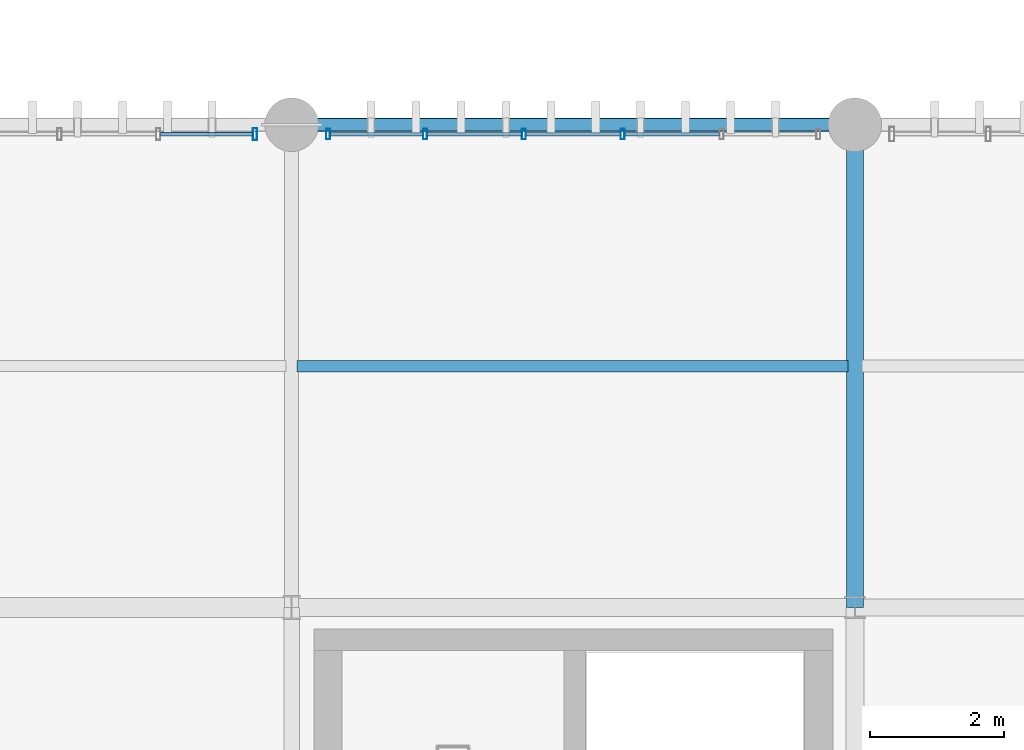
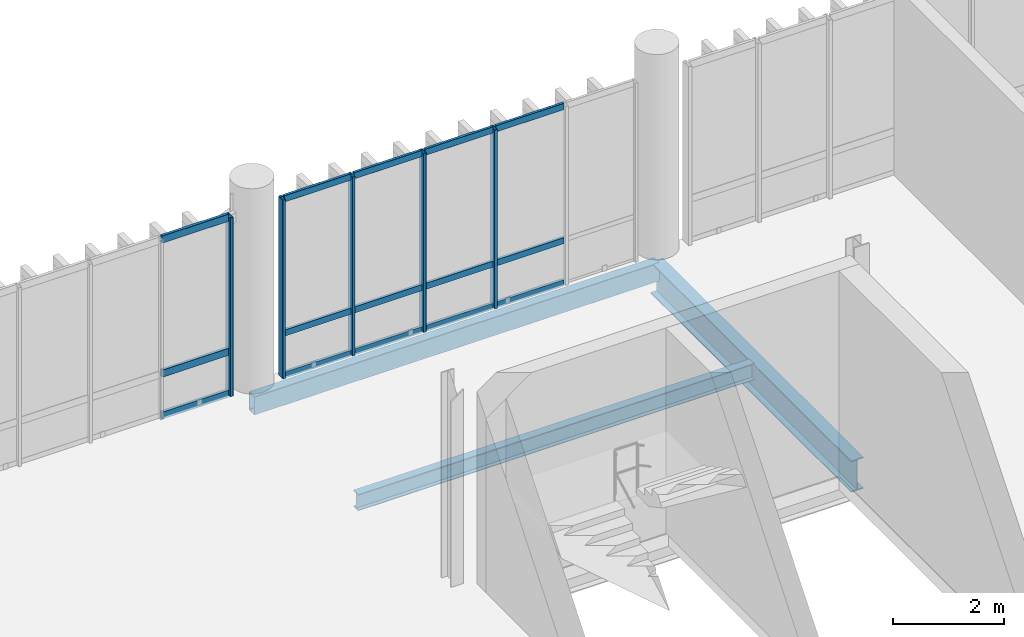
# One storey, part 33 of 68: 20 members, 3 beams, 2 elements without a shape of their own.
"""IFC4 building model written with IfcOpenShell, lengths in metres."""

from ifc_helpers import new_model, si_unit, direction, frame, origin_with_axes, origin_2d_with_axis, place, context, subcontext, project, spatial, hollow_rectangle, i_section, extrude, material, material_profile, profile_set, type_object, element, aggregate, save


model = new_model("IFC4")

# Units and contexts
model_context = context("Model", 3, precision=1e-05, world=origin_with_axes(), true_north=direction((0.0, 1.0)))
body_context = subcontext(model_context, "Body", "Model", "MODEL_VIEW")
ifc_project = project(units=[si_unit("LENGTHUNIT", "METRE"), si_unit("AREAUNIT", "SQUARE_METRE"), si_unit("VOLUMEUNIT", "CUBIC_METRE"), si_unit("PLANEANGLEUNIT", "RADIAN"), si_unit("MASSUNIT", "GRAM", prefix="KILO"), si_unit("THERMODYNAMICTEMPERATUREUNIT", "KELVIN")], contexts=[model_context])

# Site, building, storey
site_placement = place(None, origin_with_axes())
site = spatial("IfcSite", under=ifc_project, at=site_placement, CompositionType="ELEMENT")
building_placement = place(site_placement, origin_with_axes())
building = spatial("IfcBuilding", under=site, at=building_placement, Name="Montbau Bow Law Courts", CompositionType="ELEMENT")
storey_placement = place(building_placement, frame((0.0, 0.0, 20.4), z_axis=(0.0, 0.0, 1.0), x_axis=(1.0, 0.0, 0.0)))
storey = spatial("IfcBuildingStorey", under=building, at=storey_placement, Name="L04", CompositionType="ELEMENT", Elevation=20.4)

# Beams
ifc_material_1 = material(Name="Steel CSA G40.21 Grade 350W (350 MPa)", Category="steel")
ifc_material_profile_1 = material_profile(ifc_material_1, i_section(OverallWidth=0.254, OverallDepth=0.688, WebThickness=0.0131, FlangeThickness=0.0211, at=origin_2d_with_axis()), Name="W690X152", Category="Main", Priority=0)
ifc_profile_set_1 = profile_set([ifc_material_profile_1], Name="Steel CSA G40.21 Grade 350W (350 MPa)")
beam_type_1 = type_object("IfcBeamType", Name="B-FLR-04", PredefinedType="BEAM", material=ifc_profile_set_1)
beam_1_placement = place(None, frame((88.8, 54.6, 19.776), z_axis=(0.0, 1.0, 0.0), x_axis=(-1.0, 0.0, 0.0)))
element("IfcBeam", 1, at=beam_1_placement, inside=storey, type_object=beam_type_1, Name="BM-L04-S0953:bm2_0956", PredefinedType="BEAM", context=body_context, shape_type="SweptSolid", body=[
    extrude(i_section(OverallWidth=0.254, OverallDepth=0.688, WebThickness=0.0131, FlangeThickness=0.0211, at=origin_2d_with_axis()), origin_with_axes(), (0.0, 0.0, 1.0), 7.2),
])
ifc_material_profile_2 = material_profile(ifc_material_1, i_section(OverallWidth=0.172, OverallDepth=0.358, WebThickness=0.0079, FlangeThickness=0.0131, at=origin_2d_with_axis()), Name="W360X57", Category="Main", Priority=0)
ifc_profile_set_2 = profile_set([ifc_material_profile_2], Name="Steel CSA G40.21 Grade 350W (350 MPa)")
beam_type_2 = type_object("IfcBeamType", Name="B-JST-03", PredefinedType="JOIST", material=ifc_profile_set_2)
beam_2_placement = place(None, frame((80.481, 58.2, 19.941), z_axis=(1.0, 0.0, 0.0), x_axis=(0.0, 1.0, 0.0)))
element("IfcBeam", 2, at=beam_2_placement, inside=storey, type_object=beam_type_2, Name="JST-L04-S0490:jst2_0490", PredefinedType="JOIST", context=body_context, shape_type="SweptSolid", body=[
    extrude(i_section(OverallWidth=0.172, OverallDepth=0.358, WebThickness=0.0079, FlangeThickness=0.0131, at=origin_2d_with_axis()), origin_with_axes(), (0.0, 0.0, 1.0), 8.216),
])
ifc_material_2 = material(Name="Steel CSA G40.21 Grade 350WT (350 MPa)", Category="steel")
ifc_material_profile_3 = material_profile(ifc_material_2, hollow_rectangle(XDim=0.203, YDim=0.406, WallThickness=0.0127, InnerFilletRadius=0.0254, OuterFilletRadius=0.0127, at=origin_2d_with_axis()), Name="HSS406X203X13", Category="Main", Priority=0)
ifc_profile_set_3 = profile_set([ifc_material_profile_3], Name="Steel CSA G40.21 Grade 350WT (350 MPa)")
beam_type_3 = type_object("IfcBeamType", Name="B-SPN-01", PredefinedType="SPANDREL", material=ifc_profile_set_3)
beam_3_placement = place(None, frame((80.4, 61.8, 19.917), z_axis=(1.0, 0.0, 0.0), x_axis=(0.0, 1.0, 0.0)))
element("IfcBeam", 3, at=beam_3_placement, inside=storey, type_object=beam_type_3, Name="SPN-L04-S0937:bm2_0940", PredefinedType="SPANDREL", context=body_context, shape_type="SweptSolid", body=[
    extrude(hollow_rectangle(XDim=0.203, YDim=0.406, WallThickness=0.0127, InnerFilletRadius=0.0254, OuterFilletRadius=0.0127, at=origin_2d_with_axis()), origin_with_axes(), (0.0, 0.0, 1.0), 8.4),
])

# Curtain wall, member
ifc_material_3 = material(Name="Thermally Broken Extruded Aluminium AA 6063-T6", Category="aluminium")
curtain_wall_type = type_object("IfcCurtainWallType", Name="CW-CRM-01", PredefinedType="NOTDEFINED", material=ifc_material_3)
curtain_wall_1_placement = place(None, frame((72.515, 61.66, 20.4), z_axis=(0.0, 0.0, 1.0), x_axis=(1.0, 0.0, 0.0)))
curtain_wall_1 = element("IfcCurtainWall", 4, at=curtain_wall_1_placement, inside=storey, type_object=curtain_wall_type, Name="CW-L04-202:cw_0202", PredefinedType="NOTDEFINED")
ifc_material_profile_4 = material_profile(ifc_material_3, hollow_rectangle(XDim=0.065, YDim=0.18, WallThickness=0.005, InnerFilletRadius=0.01, OuterFilletRadius=0.005, at=origin_2d_with_axis()), Name="CWM-180X65", Category="Main", Priority=0)
ifc_profile_set_4 = profile_set([ifc_material_profile_4], Name="Thermally Broken Extruded Aluminium AA 6063-T6")
member_type_1 = type_object("IfcMemberType", Name="M-MUL-02", PredefinedType="MULLION", material=ifc_profile_set_4)
member_1_placement = place(None, frame((79.853, 61.66, 20.4), z_axis=(0.0, 0.0, 1.0), x_axis=(1.0, 0.0, 0.0)))
member_1 = element("IfcMember", 5, at=member_1_placement, type_object=member_type_1, Name="CW-L04-202-M06:cw_0202_M06", PredefinedType="MULLION", context=body_context, shape_type="SweptSolid", body=[
    extrude(hollow_rectangle(XDim=0.065, YDim=0.18, WallThickness=0.005, InnerFilletRadius=0.01, OuterFilletRadius=0.005, at=origin_2d_with_axis()), origin_with_axes(), (0.0, 0.0, 1.0), 3.92),
])

# Curtain wall, members
curtain_wall_2_placement = place(None, frame((80.915, 61.66, 20.4), z_axis=(0.0, 0.0, 1.0), x_axis=(1.0, 0.0, 0.0)))
curtain_wall_2 = element("IfcCurtainWall", 6, at=curtain_wall_2_placement, inside=storey, type_object=curtain_wall_type, Name="CW-L04-203:cw_0203", PredefinedType="NOTDEFINED")
ifc_material_profile_5 = material_profile(ifc_material_3, hollow_rectangle(XDim=0.06, YDim=0.16, WallThickness=0.004, InnerFilletRadius=0.008, OuterFilletRadius=0.004, at=origin_2d_with_axis()), Name="CWM-160X60", Category="Main", Priority=0)
ifc_profile_set_5 = profile_set([ifc_material_profile_5], Name="Thermally Broken Extruded Aluminium AA 6063-T6")
member_type_2 = type_object("IfcMemberType", Name="M-MUL-03", PredefinedType="MULLION", material=ifc_profile_set_5)
member_2_placement = place(None, frame((80.945, 61.66, 20.4), z_axis=(0.0, 0.0, 1.0), x_axis=(1.0, 0.0, 0.0)))
member_2 = element("IfcMember", 7, at=member_2_placement, type_object=member_type_2, Name="CW-L04-203-M01:cw_0203_M01", PredefinedType="MULLION", context=body_context, shape_type="SweptSolid", body=[
    extrude(hollow_rectangle(XDim=0.06, YDim=0.16, WallThickness=0.004, InnerFilletRadius=0.008, OuterFilletRadius=0.004, at=origin_2d_with_axis()), origin_with_axes(), (0.0, 0.0, 1.0), 3.92),
])
member_3_placement = place(None, frame((82.389, 61.66, 20.4), z_axis=(0.0, 0.0, 1.0), x_axis=(1.0, 0.0, 0.0)))
member_3 = element("IfcMember", 8, at=member_3_placement, type_object=member_type_2, Name="CW-L04-203-M02:cw_0203_M02", PredefinedType="MULLION", context=body_context, shape_type="SweptSolid", body=[
    extrude(hollow_rectangle(XDim=0.06, YDim=0.16, WallThickness=0.004, InnerFilletRadius=0.008, OuterFilletRadius=0.004, at=origin_2d_with_axis()), origin_with_axes(), (0.0, 0.0, 1.0), 3.92),
])
member_4_placement = place(None, frame((83.863, 61.66, 20.4), z_axis=(0.0, 0.0, 1.0), x_axis=(1.0, 0.0, 0.0)))
member_4 = element("IfcMember", 9, at=member_4_placement, type_object=member_type_2, Name="CW-L04-203-M03:cw_0203_M03", PredefinedType="MULLION", context=body_context, shape_type="SweptSolid", body=[
    extrude(hollow_rectangle(XDim=0.06, YDim=0.16, WallThickness=0.004, InnerFilletRadius=0.008, OuterFilletRadius=0.004, at=origin_2d_with_axis()), origin_with_axes(), (0.0, 0.0, 1.0), 3.92),
])
member_5_placement = place(None, frame((85.337, 61.66, 20.4), z_axis=(0.0, 0.0, 1.0), x_axis=(1.0, 0.0, 0.0)))
member_5 = element("IfcMember", 10, at=member_5_placement, type_object=member_type_2, Name="CW-L04-203-M04:cw_0203_M04", PredefinedType="MULLION", context=body_context, shape_type="SweptSolid", body=[
    extrude(hollow_rectangle(XDim=0.06, YDim=0.16, WallThickness=0.004, InnerFilletRadius=0.008, OuterFilletRadius=0.004, at=origin_2d_with_axis()), origin_with_axes(), (0.0, 0.0, 1.0), 3.92),
])

# Member
ifc_material_profile_6 = material_profile(ifc_material_3, hollow_rectangle(XDim=0.06, YDim=0.16, WallThickness=0.004, InnerFilletRadius=0.008, OuterFilletRadius=0.004, at=origin_2d_with_axis()), Name="CWT-160X60", Category="Main", Priority=0)
ifc_profile_set_6 = profile_set([ifc_material_profile_6], Name="Thermally Broken Extruded Aluminium AA 6063-T6")
member_type_3 = type_object("IfcMemberType", Name="M-TRN-01", PredefinedType="USERDEFINED", material=ifc_profile_set_6)
member_6_placement = place(None, frame((78.445, 61.66, 20.43), z_axis=(1.0, 0.0, 0.0), x_axis=(0.0, 1.0, 0.0)))
member_6 = element("IfcMember", 11, at=member_6_placement, type_object=member_type_3, Name="CW-L04-202-T05-1:cw_0202_T05_1", ObjectType="TRANSOM", PredefinedType="USERDEFINED", context=body_context, shape_type="SweptSolid", body=[
    extrude(hollow_rectangle(XDim=0.06, YDim=0.16, WallThickness=0.004, InnerFilletRadius=0.008, OuterFilletRadius=0.004, at=origin_2d_with_axis()), origin_with_axes(), (0.0, 0.0, 1.0), 1.374),
])

member_7_placement = place(None, frame((78.445, 61.66, 21.35), z_axis=(1.0, 0.0, 0.0), x_axis=(0.0, 1.0, 0.0)))
member_7 = element("IfcMember", 12, at=member_7_placement, type_object=member_type_3, Name="CW-L04-202-T05-2:cw_0202_T05_2", ObjectType="TRANSOM", PredefinedType="USERDEFINED", context=body_context, shape_type="SweptSolid", body=[
    extrude(hollow_rectangle(XDim=0.06, YDim=0.16, WallThickness=0.004, InnerFilletRadius=0.008, OuterFilletRadius=0.004, at=origin_2d_with_axis()), origin_with_axes(), (0.0, 0.0, 1.0), 1.374),
])

member_8_placement = place(None, frame((78.445, 61.66, 24.29), z_axis=(1.0, 0.0, 0.0), x_axis=(0.0, 1.0, 0.0)))
member_8 = element("IfcMember", 13, at=member_8_placement, type_object=member_type_3, Name="CW-L04-202-T05-3:cw_0202_T05_3", ObjectType="TRANSOM", PredefinedType="USERDEFINED", context=body_context, shape_type="SweptSolid", body=[
    extrude(hollow_rectangle(XDim=0.06, YDim=0.16, WallThickness=0.004, InnerFilletRadius=0.008, OuterFilletRadius=0.004, at=origin_2d_with_axis()), origin_with_axes(), (0.0, 0.0, 1.0), 1.374),
])

aggregate(curtain_wall_1, [member_1, member_6, member_7, member_8])

ifc_material_profile_7 = material_profile(ifc_material_3, hollow_rectangle(XDim=0.055, YDim=0.14, WallThickness=0.004, InnerFilletRadius=0.008, OuterFilletRadius=0.004, at=origin_2d_with_axis()), Name="CWT-140X55", Category="Main", Priority=0)
ifc_profile_set_7 = profile_set([ifc_material_profile_7], Name="Thermally Broken Extruded Aluminium AA 6063-T6")
member_type_4 = type_object("IfcMemberType", Name="M-TRN-02", PredefinedType="USERDEFINED", material=ifc_profile_set_7)
member_9_placement = place(None, frame((80.977, 61.66, 20.427), z_axis=(1.0, 0.0, 0.0), x_axis=(0.0, 1.0, 0.0)))
member_9 = element("IfcMember", 14, at=member_9_placement, type_object=member_type_4, Name="CW-L04-203-T01-1:cw_0203_T01_1", ObjectType="TRANSOM", PredefinedType="USERDEFINED", context=body_context, shape_type="SweptSolid", body=[
    extrude(hollow_rectangle(XDim=0.055, YDim=0.14, WallThickness=0.004, InnerFilletRadius=0.008, OuterFilletRadius=0.004, at=origin_2d_with_axis()), origin_with_axes(), (0.0, 0.0, 1.0), 1.38),
])

member_10_placement = place(None, frame((80.977, 61.66, 21.35), z_axis=(1.0, 0.0, 0.0), x_axis=(0.0, 1.0, 0.0)))
member_10 = element("IfcMember", 15, at=member_10_placement, type_object=member_type_4, Name="CW-L04-203-T01-2:cw_0203_T01_2", ObjectType="TRANSOM", PredefinedType="USERDEFINED", context=body_context, shape_type="SweptSolid", body=[
    extrude(hollow_rectangle(XDim=0.055, YDim=0.14, WallThickness=0.004, InnerFilletRadius=0.008, OuterFilletRadius=0.004, at=origin_2d_with_axis()), origin_with_axes(), (0.0, 0.0, 1.0), 1.38),
])

member_11_placement = place(None, frame((80.977, 61.66, 24.293), z_axis=(1.0, 0.0, 0.0), x_axis=(0.0, 1.0, 0.0)))
member_11 = element("IfcMember", 16, at=member_11_placement, type_object=member_type_4, Name="CW-L04-203-T01-3:cw_0203_T01_3", ObjectType="TRANSOM", PredefinedType="USERDEFINED", context=body_context, shape_type="SweptSolid", body=[
    extrude(hollow_rectangle(XDim=0.055, YDim=0.14, WallThickness=0.004, InnerFilletRadius=0.008, OuterFilletRadius=0.004, at=origin_2d_with_axis()), origin_with_axes(), (0.0, 0.0, 1.0), 1.38),
])

member_12_placement = place(None, frame((82.421, 61.66, 20.427), z_axis=(1.0, 0.0, 0.0), x_axis=(0.0, 1.0, 0.0)))
member_12 = element("IfcMember", 17, at=member_12_placement, type_object=member_type_4, Name="CW-L04-203-T02-1:cw_0203_T02_1", ObjectType="TRANSOM", PredefinedType="USERDEFINED", context=body_context, shape_type="SweptSolid", body=[
    extrude(hollow_rectangle(XDim=0.055, YDim=0.14, WallThickness=0.004, InnerFilletRadius=0.008, OuterFilletRadius=0.004, at=origin_2d_with_axis()), origin_with_axes(), (0.0, 0.0, 1.0), 1.41),
])

member_13_placement = place(None, frame((82.421, 61.66, 21.35), z_axis=(1.0, 0.0, 0.0), x_axis=(0.0, 1.0, 0.0)))
member_13 = element("IfcMember", 18, at=member_13_placement, type_object=member_type_4, Name="CW-L04-203-T02-2:cw_0203_T02_2", ObjectType="TRANSOM", PredefinedType="USERDEFINED", context=body_context, shape_type="SweptSolid", body=[
    extrude(hollow_rectangle(XDim=0.055, YDim=0.14, WallThickness=0.004, InnerFilletRadius=0.008, OuterFilletRadius=0.004, at=origin_2d_with_axis()), origin_with_axes(), (0.0, 0.0, 1.0), 1.41),
])

member_14_placement = place(None, frame((82.421, 61.66, 24.293), z_axis=(1.0, 0.0, 0.0), x_axis=(0.0, 1.0, 0.0)))
member_14 = element("IfcMember", 19, at=member_14_placement, type_object=member_type_4, Name="CW-L04-203-T02-3:cw_0203_T02_3", ObjectType="TRANSOM", PredefinedType="USERDEFINED", context=body_context, shape_type="SweptSolid", body=[
    extrude(hollow_rectangle(XDim=0.055, YDim=0.14, WallThickness=0.004, InnerFilletRadius=0.008, OuterFilletRadius=0.004, at=origin_2d_with_axis()), origin_with_axes(), (0.0, 0.0, 1.0), 1.41),
])

member_15_placement = place(None, frame((83.895, 61.66, 20.427), z_axis=(1.0, 0.0, 0.0), x_axis=(0.0, 1.0, 0.0)))
member_15 = element("IfcMember", 20, at=member_15_placement, type_object=member_type_4, Name="CW-L04-203-T03-1:cw_0203_T03_1", ObjectType="TRANSOM", PredefinedType="USERDEFINED", context=body_context, shape_type="SweptSolid", body=[
    extrude(hollow_rectangle(XDim=0.055, YDim=0.14, WallThickness=0.004, InnerFilletRadius=0.008, OuterFilletRadius=0.004, at=origin_2d_with_axis()), origin_with_axes(), (0.0, 0.0, 1.0), 1.41),
])

member_16_placement = place(None, frame((83.895, 61.66, 21.35), z_axis=(1.0, 0.0, 0.0), x_axis=(0.0, 1.0, 0.0)))
member_16 = element("IfcMember", 21, at=member_16_placement, type_object=member_type_4, Name="CW-L04-203-T03-2:cw_0203_T03_2", ObjectType="TRANSOM", PredefinedType="USERDEFINED", context=body_context, shape_type="SweptSolid", body=[
    extrude(hollow_rectangle(XDim=0.055, YDim=0.14, WallThickness=0.004, InnerFilletRadius=0.008, OuterFilletRadius=0.004, at=origin_2d_with_axis()), origin_with_axes(), (0.0, 0.0, 1.0), 1.41),
])

member_17_placement = place(None, frame((83.895, 61.66, 24.293), z_axis=(1.0, 0.0, 0.0), x_axis=(0.0, 1.0, 0.0)))
member_17 = element("IfcMember", 22, at=member_17_placement, type_object=member_type_4, Name="CW-L04-203-T03-3:cw_0203_T03_3", ObjectType="TRANSOM", PredefinedType="USERDEFINED", context=body_context, shape_type="SweptSolid", body=[
    extrude(hollow_rectangle(XDim=0.055, YDim=0.14, WallThickness=0.004, InnerFilletRadius=0.008, OuterFilletRadius=0.004, at=origin_2d_with_axis()), origin_with_axes(), (0.0, 0.0, 1.0), 1.41),
])

member_18_placement = place(None, frame((85.369, 61.66, 20.427), z_axis=(1.0, 0.0, 0.0), x_axis=(0.0, 1.0, 0.0)))
member_18 = element("IfcMember", 23, at=member_18_placement, type_object=member_type_4, Name="CW-L04-203-T04-1:cw_0203_T04_1", ObjectType="TRANSOM", PredefinedType="USERDEFINED", context=body_context, shape_type="SweptSolid", body=[
    extrude(hollow_rectangle(XDim=0.055, YDim=0.14, WallThickness=0.004, InnerFilletRadius=0.008, OuterFilletRadius=0.004, at=origin_2d_with_axis()), origin_with_axes(), (0.0, 0.0, 1.0), 1.41),
])

member_19_placement = place(None, frame((85.369, 61.66, 21.35), z_axis=(1.0, 0.0, 0.0), x_axis=(0.0, 1.0, 0.0)))
member_19 = element("IfcMember", 24, at=member_19_placement, type_object=member_type_4, Name="CW-L04-203-T04-2:cw_0203_T04_2", ObjectType="TRANSOM", PredefinedType="USERDEFINED", context=body_context, shape_type="SweptSolid", body=[
    extrude(hollow_rectangle(XDim=0.055, YDim=0.14, WallThickness=0.004, InnerFilletRadius=0.008, OuterFilletRadius=0.004, at=origin_2d_with_axis()), origin_with_axes(), (0.0, 0.0, 1.0), 1.41),
])

member_20_placement = place(None, frame((85.369, 61.66, 24.293), z_axis=(1.0, 0.0, 0.0), x_axis=(0.0, 1.0, 0.0)))
member_20 = element("IfcMember", 25, at=member_20_placement, type_object=member_type_4, Name="CW-L04-203-T04-3:cw_0203_T04_3", ObjectType="TRANSOM", PredefinedType="USERDEFINED", context=body_context, shape_type="SweptSolid", body=[
    extrude(hollow_rectangle(XDim=0.055, YDim=0.14, WallThickness=0.004, InnerFilletRadius=0.008, OuterFilletRadius=0.004, at=origin_2d_with_axis()), origin_with_axes(), (0.0, 0.0, 1.0), 1.41),
])

aggregate(curtain_wall_2, [member_2, member_3, member_4, member_5, member_9, member_10, member_11, member_12, member_13, member_14, member_15, member_16, member_17, member_18, member_19, member_20])

save(model, "model.ifc")
